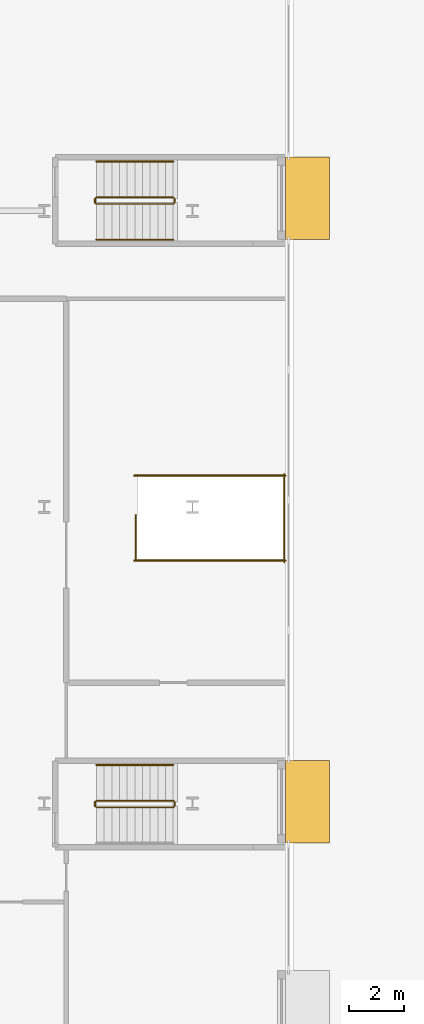
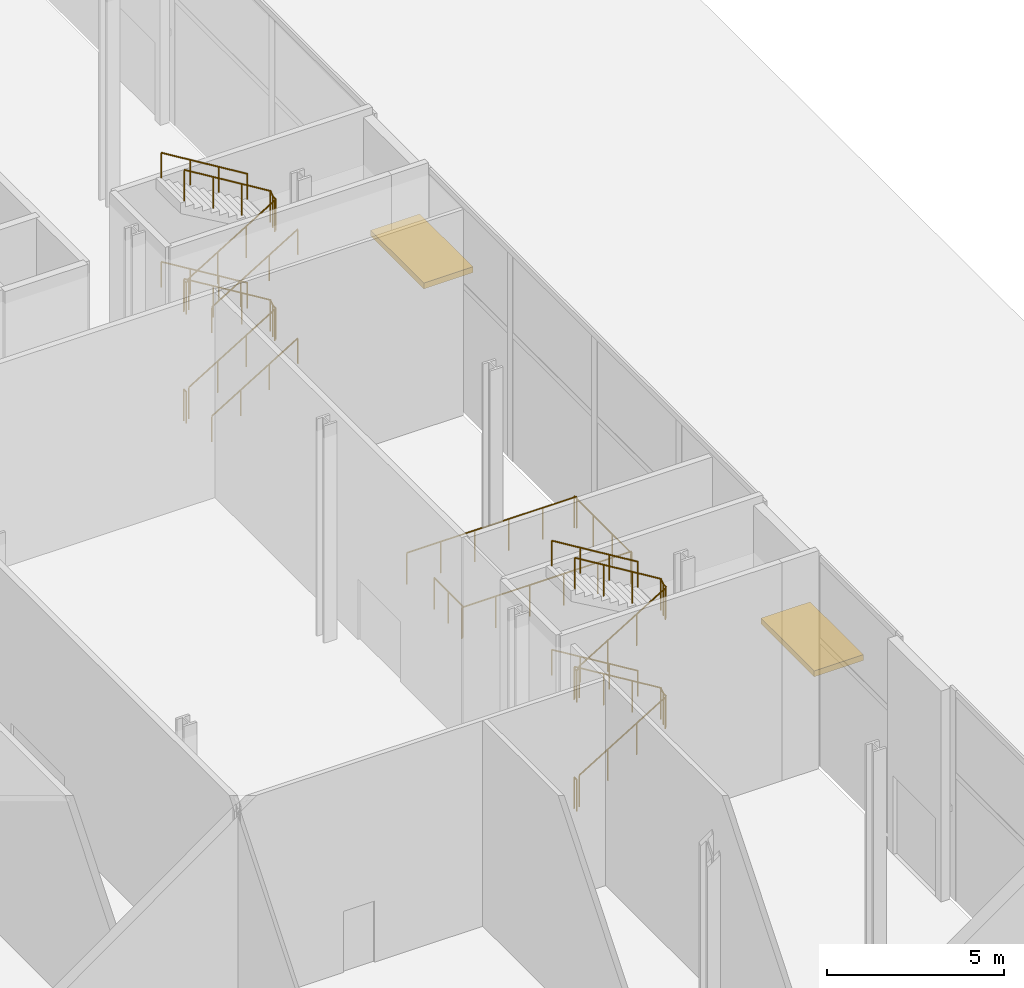
# One storey, part 40 of 46: 14 railings, 2 shading devices.
"""IFC4 building model written with IfcOpenShell, lengths in metres."""

from ifc_helpers import new_model, si_unit, direction, frame, origin, origin_2d, place, context, subcontext, project, spatial, rectangle, circle, extrude, material, layer, layer_set, type_object, element, save


model = new_model("IFC4")

# Units and contexts
model_context = context("Model", 3, precision=1e-05, world=origin(), true_north=direction((0.0, 1.0)))
body_context = subcontext(model_context, "Body", "Model", "MODEL_VIEW")
ifc_project = project(units=[si_unit("LENGTHUNIT", "METRE"), si_unit("AREAUNIT", "SQUARE_METRE"), si_unit("VOLUMEUNIT", "CUBIC_METRE"), si_unit("PLANEANGLEUNIT", "RADIAN"), si_unit("MASSUNIT", "GRAM", prefix="KILO")], contexts=[model_context])

# Site, building, storey
site_placement = place(None, origin())
site = spatial("IfcSite", under=ifc_project, at=site_placement, CompositionType="ELEMENT")
building_placement = place(site_placement, origin())
building = spatial("IfcBuilding", under=site, at=building_placement, Name="Kheshtan School and Residences Tower", CompositionType="ELEMENT")
storey_placement = place(building_placement, origin())
storey = spatial("IfcBuildingStorey", under=building, at=storey_placement, Name="L00", CompositionType="ELEMENT", Elevation=0.0)

# Shading devices
ifc_material_1 = material(Name="Zinc standing seam on insulated deck")
ifc_layer = layer(ifc_material_1, 0.10009765625)
ifc_layer_set = layer_set([ifc_layer], Name="Canopy awning")
shading_device_type = type_object("IfcShadingDeviceType", Name="Canopy awning", PredefinedType="AWNING", material=ifc_layer_set)
for number, where, z_axis, x_axis, name in (
    (1, (132.800048828125, 67.659912109375, 3.0), (0.0, 0.0, 1.0), (0.0, -1.0, 0.0), "Entrance canopy 8.3"),
    (2, (132.800048828125, 45.659912109375, 3.0), (0.0, 0.0, 1.0), (0.0, -1.0, 0.0), "Entrance canopy 8.5"),
):
    element("IfcShadingDevice", number, at=place(storey_placement, frame(where, z_axis=z_axis, x_axis=x_axis)), inside=storey, type_object=shading_device_type, Name=name, PredefinedType="AWNING", context=body_context, shape_type="SweptSolid", body=[
        extrude(rectangle(XDim=3.0, YDim=1.60009765625, at=origin_2d()), origin(), (0.0, 0.0, 1.0), 0.199951171875),
    ])

# Railings
ifc_material_2 = material(Name="Stainless steel balustrade", Category="steel")
railing_type_1 = type_object("IfcRailingType", Name="Stair guard 1100", PredefinedType="GUARDRAIL", material=ifc_material_2)
railing_1_placement = place(storey_placement, frame((125.10009765625, 45.449951171875, 0.17041015625)))
element("IfcRailing", 3, at=railing_1_placement, inside=storey, type_object=railing_type_1, Name="L00 PS-124-044 stair guard 1", PredefinedType="GUARDRAIL", context=body_context, shape_type="SweptSolid", body=[
    extrude(circle(Radius=0.02392578125, at=origin_2d()), frame((0.0, 0.0, 1.076171875), z_axis=(0.854149651119, 0.0, 0.520027281489), x_axis=(0.0, 1.0, 0.0)), (0.0, 0.0, 1.0), 3.27783203125),
    extrude(circle(Radius=0.02392578125, at=origin_2d()), frame((2.7998046875, 0.0, 2.78076171875), z_axis=(0.707106781187, 0.707106781187, 0.0), x_axis=(-0.707106781187, 0.707106781187, 0.0)), (0.0, 0.0, 1.0), 0.07080078125),
    extrude(circle(Radius=0.02392578125, at=origin_2d()), frame((2.849853515625, 0.050048828125, 2.78076171875), z_axis=(0.0, 1.0, 0.0), x_axis=(-1.0, 0.0, 0.0)), (0.0, 0.0, 1.0), 0.14990234375),
    extrude(circle(Radius=0.02392578125, at=origin_2d()), frame((2.849853515625, 0.199951171875, 2.78076171875), z_axis=(-0.271230943075, 0.271230943075, 0.923508284228), x_axis=(-0.707106781187, -0.707106781187, 0.0)), (0.0, 0.0, 1.0), 0.1845703125),
    extrude(circle(Radius=0.02392578125, at=origin_2d()), frame((2.7998046875, 0.25, 2.951171875), z_axis=(-0.854149651119, 0.0, 0.520027281489), x_axis=(0.0, -1.0, 0.0)), (0.0, 0.0, 1.0), 3.27783203125),
    extrude(circle(Radius=0.02392578125, at=origin_2d()), frame((0.0, 0.25, 4.65576171875), z_axis=(-0.707106781187, -0.707106781187, 0.0), x_axis=(0.707106781187, -0.707106781187, 0.0)), (0.0, 0.0, 1.0), 0.07080078125),
    extrude(circle(Radius=0.02392578125, at=origin_2d()), frame((-0.050048828125, 0.199951171875, 4.65576171875), z_axis=(0.0, -1.0, 0.0), x_axis=(1.0, 0.0, 0.0)), (0.0, 0.0, 1.0), 0.14990234375),
    extrude(circle(Radius=0.02392578125, at=origin_2d()), frame((-0.050048828125, 0.050048828125, 4.65576171875), z_axis=(0.271230943075, -0.271230943075, 0.923508284228), x_axis=(0.707106781187, 0.707106781187, 0.0)), (0.0, 0.0, 1.0), 0.1845703125),
    extrude(circle(Radius=0.02392578125, at=origin_2d()), frame((0.0, 0.0, 4.826171875), z_axis=(0.854149651119, 0.0, 0.520027281489), x_axis=(0.0, 1.0, 0.0)), (0.0, 0.0, 1.0), 3.27783203125),
    extrude(circle(Radius=0.02392578125, at=origin_2d()), frame((2.7998046875, 0.0, 6.53076171875), z_axis=(0.707106781187, 0.707106781187, 0.0), x_axis=(-0.707106781187, 0.707106781187, 0.0)), (0.0, 0.0, 1.0), 0.07080078125),
    extrude(circle(Radius=0.02392578125, at=origin_2d()), frame((2.849853515625, 0.050048828125, 6.53076171875), z_axis=(0.0, 1.0, 0.0), x_axis=(-1.0, 0.0, 0.0)), (0.0, 0.0, 1.0), 0.14990234375),
    extrude(circle(Radius=0.02392578125, at=origin_2d()), frame((2.849853515625, 0.199951171875, 6.53076171875), z_axis=(-0.271230943075, 0.271230943075, 0.923508284228), x_axis=(-0.707106781187, -0.707106781187, 0.0)), (0.0, 0.0, 1.0), 0.1845703125),
    extrude(circle(Radius=0.02392578125, at=origin_2d()), frame((2.7998046875, 0.25, 6.701171875), z_axis=(-0.854149651119, 0.0, 0.520027281489), x_axis=(0.0, -1.0, 0.0)), (0.0, 0.0, 1.0), 3.27783203125),
    extrude(circle(Radius=0.02099609375, at=origin_2d()), origin(), (0.0, 0.0, 1.0), 1.052001953125),
    extrude(circle(Radius=0.02099609375, at=origin_2d()), frame((0.933349609375, 0.0, 0.568115234375)), (0.0, 0.0, 1.0), 1.052001953125),
    extrude(circle(Radius=0.02099609375, at=origin_2d()), frame((1.866455078125, 0.0, 1.136474609375)), (0.0, 0.0, 1.0), 1.052001953125),
    extrude(circle(Radius=0.02099609375, at=origin_2d()), frame((2.7998046875, 0.0, 1.70458984375)), (0.0, 0.0, 1.0), 1.052001953125),
    extrude(circle(Radius=0.02099609375, at=origin_2d()), frame((2.849853515625, 0.050048828125, 1.70458984375)), (0.0, 0.0, 1.0), 1.052001953125),
    extrude(circle(Radius=0.02099609375, at=origin_2d()), frame((2.849853515625, 0.199951171875, 1.70458984375)), (0.0, 0.0, 1.0), 1.052001953125),
    extrude(circle(Radius=0.02099609375, at=origin_2d()), frame((2.7998046875, 0.25, 1.875)), (0.0, 0.0, 1.0), 1.052001953125),
    extrude(circle(Radius=0.02099609375, at=origin_2d()), frame((1.866455078125, 0.25, 2.443115234375)), (0.0, 0.0, 1.0), 1.052001953125),
    extrude(circle(Radius=0.02099609375, at=origin_2d()), frame((0.933349609375, 0.25, 3.011474609375)), (0.0, 0.0, 1.0), 1.052001953125),
    extrude(circle(Radius=0.02099609375, at=origin_2d()), frame((0.0, 0.25, 3.57958984375)), (0.0, 0.0, 1.0), 1.052001953125),
    extrude(circle(Radius=0.02099609375, at=origin_2d()), frame((-0.050048828125, 0.199951171875, 3.57958984375)), (0.0, 0.0, 1.0), 1.052001953125),
    extrude(circle(Radius=0.02099609375, at=origin_2d()), frame((-0.050048828125, 0.050048828125, 3.57958984375)), (0.0, 0.0, 1.0), 1.052001953125),
    extrude(circle(Radius=0.02099609375, at=origin_2d()), frame((0.0, 0.0, 3.75)), (0.0, 0.0, 1.0), 1.052001953125),
    extrude(circle(Radius=0.02099609375, at=origin_2d()), frame((0.933349609375, 0.0, 4.318115234375)), (0.0, 0.0, 1.0), 1.052001953125),
    extrude(circle(Radius=0.02099609375, at=origin_2d()), frame((1.866455078125, 0.0, 4.886474609375)), (0.0, 0.0, 1.0), 1.052001953125),
    extrude(circle(Radius=0.02099609375, at=origin_2d()), frame((2.7998046875, 0.0, 5.45458984375)), (0.0, 0.0, 1.0), 1.052001953125),
    extrude(circle(Radius=0.02099609375, at=origin_2d()), frame((2.849853515625, 0.050048828125, 5.45458984375)), (0.0, 0.0, 1.0), 1.052001953125),
    extrude(circle(Radius=0.02099609375, at=origin_2d()), frame((2.849853515625, 0.199951171875, 5.45458984375)), (0.0, 0.0, 1.0), 1.052001953125),
    extrude(circle(Radius=0.02099609375, at=origin_2d()), frame((2.7998046875, 0.25, 5.625)), (0.0, 0.0, 1.0), 1.052001953125),
    extrude(circle(Radius=0.02099609375, at=origin_2d()), frame((1.866455078125, 0.25, 6.193115234375)), (0.0, 0.0, 1.0), 1.052001953125),
    extrude(circle(Radius=0.02099609375, at=origin_2d()), frame((0.933349609375, 0.25, 6.761474609375)), (0.0, 0.0, 1.0), 1.052001953125),
    extrude(circle(Radius=0.02099609375, at=origin_2d()), frame((0.0, 0.25, 7.32958984375)), (0.0, 0.0, 1.0), 1.052001953125),
])
railing_2_placement = place(storey_placement, frame((125.050048828125, 45.5, 0.0)))
element("IfcRailing", 4, at=railing_2_placement, inside=storey, type_object=railing_type_1, Name="L00 PS-124-044 stair guard 2", PredefinedType="GUARDRAIL", context=body_context, shape_type="SweptSolid", body=[
    extrude(circle(Radius=0.02392578125, at=origin_2d()), frame((0.0, 0.0, 1.076171875), z_axis=(0.0, 1.0, 0.0), x_axis=(-1.0, 0.0, 0.0)), (0.0, 0.0, 1.0), 0.14990234375),
    extrude(circle(Radius=0.02099609375, at=origin_2d()), origin(), (0.0, 0.0, 1.0), 1.052001953125),
    extrude(circle(Radius=0.02099609375, at=origin_2d()), frame((0.0, 0.14990234375, 0.0)), (0.0, 0.0, 1.0), 1.052001953125),
])
railing_3_placement = place(storey_placement, frame((125.10009765625, 67.449951171875, 0.17041015625)))
element("IfcRailing", 5, at=railing_3_placement, inside=storey, type_object=railing_type_1, Name="L00 PS-124-066 stair guard 1", PredefinedType="GUARDRAIL", context=body_context, shape_type="SweptSolid", body=[
    extrude(circle(Radius=0.02392578125, at=origin_2d()), frame((0.0, 0.0, 1.076171875), z_axis=(0.854149651119, 0.0, 0.520027281489), x_axis=(0.0, 1.0, 0.0)), (0.0, 0.0, 1.0), 3.27783203125),
    extrude(circle(Radius=0.02392578125, at=origin_2d()), frame((2.7998046875, 0.0, 2.78076171875), z_axis=(0.707106781187, 0.707106781187, 0.0), x_axis=(-0.707106781187, 0.707106781187, 0.0)), (0.0, 0.0, 1.0), 0.07080078125),
    extrude(circle(Radius=0.02392578125, at=origin_2d()), frame((2.849853515625, 0.050048828125, 2.78076171875), z_axis=(0.0, 1.0, 0.0), x_axis=(-1.0, 0.0, 0.0)), (0.0, 0.0, 1.0), 0.14990234375),
    extrude(circle(Radius=0.02392578125, at=origin_2d()), frame((2.849853515625, 0.199951171875, 2.78076171875), z_axis=(-0.271230943075, 0.271230943075, 0.923508284228), x_axis=(-0.707106781187, -0.707106781187, 0.0)), (0.0, 0.0, 1.0), 0.1845703125),
    extrude(circle(Radius=0.02392578125, at=origin_2d()), frame((2.7998046875, 0.25, 2.951171875), z_axis=(-0.854149651119, 0.0, 0.520027281489), x_axis=(0.0, -1.0, 0.0)), (0.0, 0.0, 1.0), 3.27783203125),
    extrude(circle(Radius=0.02392578125, at=origin_2d()), frame((0.0, 0.25, 4.65576171875), z_axis=(-0.707106781187, -0.707106781187, 0.0), x_axis=(0.707106781187, -0.707106781187, 0.0)), (0.0, 0.0, 1.0), 0.07080078125),
    extrude(circle(Radius=0.02392578125, at=origin_2d()), frame((-0.050048828125, 0.199951171875, 4.65576171875), z_axis=(0.0, -1.0, 0.0), x_axis=(1.0, 0.0, 0.0)), (0.0, 0.0, 1.0), 0.14990234375),
    extrude(circle(Radius=0.02392578125, at=origin_2d()), frame((-0.050048828125, 0.050048828125, 4.65576171875), z_axis=(0.271230943075, -0.271230943075, 0.923508284228), x_axis=(0.707106781187, 0.707106781187, 0.0)), (0.0, 0.0, 1.0), 0.1845703125),
    extrude(circle(Radius=0.02392578125, at=origin_2d()), frame((0.0, 0.0, 4.826171875), z_axis=(0.854149651119, 0.0, 0.520027281489), x_axis=(0.0, 1.0, 0.0)), (0.0, 0.0, 1.0), 3.27783203125),
    extrude(circle(Radius=0.02392578125, at=origin_2d()), frame((2.7998046875, 0.0, 6.53076171875), z_axis=(0.707106781187, 0.707106781187, 0.0), x_axis=(-0.707106781187, 0.707106781187, 0.0)), (0.0, 0.0, 1.0), 0.07080078125),
    extrude(circle(Radius=0.02392578125, at=origin_2d()), frame((2.849853515625, 0.050048828125, 6.53076171875), z_axis=(0.0, 1.0, 0.0), x_axis=(-1.0, 0.0, 0.0)), (0.0, 0.0, 1.0), 0.14990234375),
    extrude(circle(Radius=0.02392578125, at=origin_2d()), frame((2.849853515625, 0.199951171875, 6.53076171875), z_axis=(-0.271230943075, 0.271230943075, 0.923508284228), x_axis=(-0.707106781187, -0.707106781187, 0.0)), (0.0, 0.0, 1.0), 0.1845703125),
    extrude(circle(Radius=0.02392578125, at=origin_2d()), frame((2.7998046875, 0.25, 6.701171875), z_axis=(-0.854149651119, 0.0, 0.520027281489), x_axis=(0.0, -1.0, 0.0)), (0.0, 0.0, 1.0), 3.27783203125),
    extrude(circle(Radius=0.02099609375, at=origin_2d()), origin(), (0.0, 0.0, 1.0), 1.052001953125),
    extrude(circle(Radius=0.02099609375, at=origin_2d()), frame((0.933349609375, 0.0, 0.568115234375)), (0.0, 0.0, 1.0), 1.052001953125),
    extrude(circle(Radius=0.02099609375, at=origin_2d()), frame((1.866455078125, 0.0, 1.136474609375)), (0.0, 0.0, 1.0), 1.052001953125),
    extrude(circle(Radius=0.02099609375, at=origin_2d()), frame((2.7998046875, 0.0, 1.70458984375)), (0.0, 0.0, 1.0), 1.052001953125),
    extrude(circle(Radius=0.02099609375, at=origin_2d()), frame((2.849853515625, 0.050048828125, 1.70458984375)), (0.0, 0.0, 1.0), 1.052001953125),
    extrude(circle(Radius=0.02099609375, at=origin_2d()), frame((2.849853515625, 0.199951171875, 1.70458984375)), (0.0, 0.0, 1.0), 1.052001953125),
    extrude(circle(Radius=0.02099609375, at=origin_2d()), frame((2.7998046875, 0.25, 1.875)), (0.0, 0.0, 1.0), 1.052001953125),
    extrude(circle(Radius=0.02099609375, at=origin_2d()), frame((1.866455078125, 0.25, 2.443115234375)), (0.0, 0.0, 1.0), 1.052001953125),
    extrude(circle(Radius=0.02099609375, at=origin_2d()), frame((0.933349609375, 0.25, 3.011474609375)), (0.0, 0.0, 1.0), 1.052001953125),
    extrude(circle(Radius=0.02099609375, at=origin_2d()), frame((0.0, 0.25, 3.57958984375)), (0.0, 0.0, 1.0), 1.052001953125),
    extrude(circle(Radius=0.02099609375, at=origin_2d()), frame((-0.050048828125, 0.199951171875, 3.57958984375)), (0.0, 0.0, 1.0), 1.052001953125),
    extrude(circle(Radius=0.02099609375, at=origin_2d()), frame((-0.050048828125, 0.050048828125, 3.57958984375)), (0.0, 0.0, 1.0), 1.052001953125),
    extrude(circle(Radius=0.02099609375, at=origin_2d()), frame((0.0, 0.0, 3.75)), (0.0, 0.0, 1.0), 1.052001953125),
    extrude(circle(Radius=0.02099609375, at=origin_2d()), frame((0.933349609375, 0.0, 4.318115234375)), (0.0, 0.0, 1.0), 1.052001953125),
    extrude(circle(Radius=0.02099609375, at=origin_2d()), frame((1.866455078125, 0.0, 4.886474609375)), (0.0, 0.0, 1.0), 1.052001953125),
    extrude(circle(Radius=0.02099609375, at=origin_2d()), frame((2.7998046875, 0.0, 5.45458984375)), (0.0, 0.0, 1.0), 1.052001953125),
    extrude(circle(Radius=0.02099609375, at=origin_2d()), frame((2.849853515625, 0.050048828125, 5.45458984375)), (0.0, 0.0, 1.0), 1.052001953125),
    extrude(circle(Radius=0.02099609375, at=origin_2d()), frame((2.849853515625, 0.199951171875, 5.45458984375)), (0.0, 0.0, 1.0), 1.052001953125),
    extrude(circle(Radius=0.02099609375, at=origin_2d()), frame((2.7998046875, 0.25, 5.625)), (0.0, 0.0, 1.0), 1.052001953125),
    extrude(circle(Radius=0.02099609375, at=origin_2d()), frame((1.866455078125, 0.25, 6.193115234375)), (0.0, 0.0, 1.0), 1.052001953125),
    extrude(circle(Radius=0.02099609375, at=origin_2d()), frame((0.933349609375, 0.25, 6.761474609375)), (0.0, 0.0, 1.0), 1.052001953125),
    extrude(circle(Radius=0.02099609375, at=origin_2d()), frame((0.0, 0.25, 7.32958984375)), (0.0, 0.0, 1.0), 1.052001953125),
])
railing_4_placement = place(storey_placement, frame((125.050048828125, 67.5, 0.0)))
element("IfcRailing", 6, at=railing_4_placement, inside=storey, type_object=railing_type_1, Name="L00 PS-124-066 stair guard 2", PredefinedType="GUARDRAIL", context=body_context, shape_type="SweptSolid", body=[
    extrude(circle(Radius=0.02392578125, at=origin_2d()), frame((0.0, 0.0, 1.076171875), z_axis=(0.0, 1.0, 0.0), x_axis=(-1.0, 0.0, 0.0)), (0.0, 0.0, 1.0), 0.14990234375),
    extrude(circle(Radius=0.02099609375, at=origin_2d()), origin(), (0.0, 0.0, 1.0), 1.052001953125),
    extrude(circle(Radius=0.02099609375, at=origin_2d()), frame((0.0, 0.14990234375, 0.0)), (0.0, 0.0, 1.0), 1.052001953125),
])
railing_5_placement = place(storey_placement, frame((126.530029296875, 54.5, 0.0)))
element("IfcRailing", 7, at=railing_5_placement, inside=storey, type_object=railing_type_1, Name="L00 SS-east top well guard 1", PredefinedType="GUARDRAIL", context=body_context, shape_type="SweptSolid", body=[
    extrude(circle(Radius=0.02392578125, at=origin_2d()), frame((0.0, 0.0, 1.076171875), z_axis=(0.0, 1.0, 0.0), x_axis=(-1.0, 0.0, 0.0)), (0.0, 0.0, 1.0), 1.60009765625),
    extrude(circle(Radius=0.02099609375, at=origin_2d()), origin(), (0.0, 0.0, 1.0), 1.052001953125),
    extrude(circle(Radius=0.02099609375, at=origin_2d()), frame((0.0, 0.800048828125, 0.0)), (0.0, 0.0, 1.0), 1.052001953125),
    extrude(circle(Radius=0.02099609375, at=origin_2d()), frame((0.0, 1.60009765625, 0.0)), (0.0, 0.0, 1.0), 1.052001953125),
])
for number, where, name in (
    (8, (126.47998046875, 54.449951171875, 0.0), "L00 SS-east top well guard 2"),
    (9, (126.47998046875, 57.550048828125, 0.0), "L00 SS-east top well guard 3"),
):
    element("IfcRailing", number, at=place(storey_placement, frame(where)), inside=storey, type_object=railing_type_1, Name=name, PredefinedType="GUARDRAIL", context=body_context, shape_type="SweptSolid", body=[
        extrude(circle(Radius=0.02392578125, at=origin_2d()), frame((0.0, 0.0, 1.076171875), z_axis=(1.0, 0.0, 0.0), x_axis=(0.0, 1.0, 0.0)), (0.0, 0.0, 1.0), 5.52001953125),
        extrude(circle(Radius=0.02099609375, at=origin_2d()), origin(), (0.0, 0.0, 1.0), 1.052001953125),
        extrude(circle(Radius=0.02099609375, at=origin_2d()), frame((1.10400390625, 0.0, 0.0)), (0.0, 0.0, 1.0), 1.052001953125),
        extrude(circle(Radius=0.02099609375, at=origin_2d()), frame((2.2080078125, 0.0, 0.0)), (0.0, 0.0, 1.0), 1.052001953125),
        extrude(circle(Radius=0.02099609375, at=origin_2d()), frame((3.31201171875, 0.0, 0.0)), (0.0, 0.0, 1.0), 1.052001953125),
        extrude(circle(Radius=0.02099609375, at=origin_2d()), frame((4.416015625, 0.0, 0.0)), (0.0, 0.0, 1.0), 1.052001953125),
        extrude(circle(Radius=0.02099609375, at=origin_2d()), frame((5.52001953125, 0.0, 0.0)), (0.0, 0.0, 1.0), 1.052001953125),
    ])
railing_6_placement = place(storey_placement, frame((131.949951171875, 54.39990234375, 0.0)))
element("IfcRailing", 10, at=railing_6_placement, inside=storey, type_object=railing_type_1, Name="L00 SS-east top well guard 4", PredefinedType="GUARDRAIL", context=body_context, shape_type="SweptSolid", body=[
    extrude(circle(Radius=0.02392578125, at=origin_2d()), frame((0.0, 0.0, 1.076171875), z_axis=(0.0, 1.0, 0.0), x_axis=(-1.0, 0.0, 0.0)), (0.0, 0.0, 1.0), 3.2001953125),
    extrude(circle(Radius=0.02099609375, at=origin_2d()), origin(), (0.0, 0.0, 1.0), 1.052001953125),
    extrude(circle(Radius=0.02099609375, at=origin_2d()), frame((0.0, 1.066650390625, 0.0)), (0.0, 0.0, 1.0), 1.052001953125),
    extrude(circle(Radius=0.02099609375, at=origin_2d()), frame((0.0, 2.133544921875, 0.0)), (0.0, 0.0, 1.0), 1.052001953125),
    extrude(circle(Radius=0.02099609375, at=origin_2d()), frame((0.0, 3.2001953125, 0.0)), (0.0, 0.0, 1.0), 1.052001953125),
])
ifc_material_3 = material(Name="Stainless steel handrail", Category="steel")
railing_type_2 = type_object("IfcRailingType", Name="Stair handrail 900", PredefinedType="HANDRAIL", material=ifc_material_3)
for number, where, name in (
    (11, (127.89990234375, 47.0, 2.04541015625), "L00 PS-124-044 stair handrail 2"),
    (12, (127.89990234375, 47.0, 5.79541015625), "L00 PS-124-044 stair handrail 4"),
):
    element("IfcRailing", number, at=place(storey_placement, frame(where)), inside=storey, type_object=railing_type_2, Name=name, PredefinedType="HANDRAIL", context=body_context, shape_type="SweptSolid", body=[
        extrude(circle(Radius=0.02392578125, at=origin_2d()), frame((0.0, 0.0, 0.8759765625), z_axis=(-0.854149651119, 0.0, 0.520027281489), x_axis=(0.0, -1.0, 0.0)), (0.0, 0.0, 1.0), 3.27783203125),
        extrude(circle(Radius=0.02099609375, at=origin_2d()), origin(), (0.0, 0.0, 1.0), 0.851806640625),
        extrude(circle(Radius=0.02099609375, at=origin_2d()), frame((-0.933349609375, 0.0, 0.568115234375)), (0.0, 0.0, 1.0), 0.851806640625),
        extrude(circle(Radius=0.02099609375, at=origin_2d()), frame((-1.866455078125, 0.0, 1.136474609375)), (0.0, 0.0, 1.0), 0.851806640625),
        extrude(circle(Radius=0.02099609375, at=origin_2d()), frame((-2.7998046875, 0.0, 1.70458984375)), (0.0, 0.0, 1.0), 0.851806640625),
    ])
railing_7_placement = place(storey_placement, frame((125.10009765625, 66.14990234375, 0.17041015625)))
element("IfcRailing", 13, at=railing_7_placement, inside=storey, type_object=railing_type_2, Name="L00 PS-124-066 stair handrail 1", PredefinedType="HANDRAIL", context=body_context, shape_type="SweptSolid", body=[
    extrude(circle(Radius=0.02392578125, at=origin_2d()), frame((0.0, 0.0, 0.8759765625), z_axis=(0.854149651119, 0.0, 0.520027281489), x_axis=(0.0, 1.0, 0.0)), (0.0, 0.0, 1.0), 3.27783203125),
    extrude(circle(Radius=0.02099609375, at=origin_2d()), origin(), (0.0, 0.0, 1.0), 0.851806640625),
    extrude(circle(Radius=0.02099609375, at=origin_2d()), frame((0.933349609375, 0.0, 0.568115234375)), (0.0, 0.0, 1.0), 0.851806640625),
    extrude(circle(Radius=0.02099609375, at=origin_2d()), frame((1.866455078125, 0.0, 1.136474609375)), (0.0, 0.0, 1.0), 0.851806640625),
    extrude(circle(Radius=0.02099609375, at=origin_2d()), frame((2.7998046875, 0.0, 1.70458984375)), (0.0, 0.0, 1.0), 0.851806640625),
])
railing_8_placement = place(storey_placement, frame((127.89990234375, 69.0, 2.04541015625)))
element("IfcRailing", 14, at=railing_8_placement, inside=storey, type_object=railing_type_2, Name="L00 PS-124-066 stair handrail 2", PredefinedType="HANDRAIL", context=body_context, shape_type="SweptSolid", body=[
    extrude(circle(Radius=0.02392578125, at=origin_2d()), frame((0.0, 0.0, 0.8759765625), z_axis=(-0.854149651119, 0.0, 0.520027281489), x_axis=(0.0, -1.0, 0.0)), (0.0, 0.0, 1.0), 3.27783203125),
    extrude(circle(Radius=0.02099609375, at=origin_2d()), origin(), (0.0, 0.0, 1.0), 0.851806640625),
    extrude(circle(Radius=0.02099609375, at=origin_2d()), frame((-0.933349609375, 0.0, 0.568115234375)), (0.0, 0.0, 1.0), 0.851806640625),
    extrude(circle(Radius=0.02099609375, at=origin_2d()), frame((-1.866455078125, 0.0, 1.136474609375)), (0.0, 0.0, 1.0), 0.851806640625),
    extrude(circle(Radius=0.02099609375, at=origin_2d()), frame((-2.7998046875, 0.0, 1.70458984375)), (0.0, 0.0, 1.0), 0.851806640625),
])
railing_9_placement = place(storey_placement, frame((125.10009765625, 66.14990234375, 3.92041015625)))
element("IfcRailing", 15, at=railing_9_placement, inside=storey, type_object=railing_type_2, Name="L00 PS-124-066 stair handrail 3", PredefinedType="HANDRAIL", context=body_context, shape_type="SweptSolid", body=[
    extrude(circle(Radius=0.02392578125, at=origin_2d()), frame((0.0, 0.0, 0.8759765625), z_axis=(0.854149651119, 0.0, 0.520027281489), x_axis=(0.0, 1.0, 0.0)), (0.0, 0.0, 1.0), 3.27783203125),
    extrude(circle(Radius=0.02099609375, at=origin_2d()), origin(), (0.0, 0.0, 1.0), 0.851806640625),
    extrude(circle(Radius=0.02099609375, at=origin_2d()), frame((0.933349609375, 0.0, 0.568115234375)), (0.0, 0.0, 1.0), 0.851806640625),
    extrude(circle(Radius=0.02099609375, at=origin_2d()), frame((1.866455078125, 0.0, 1.136474609375)), (0.0, 0.0, 1.0), 0.851806640625),
    extrude(circle(Radius=0.02099609375, at=origin_2d()), frame((2.7998046875, 0.0, 1.70458984375)), (0.0, 0.0, 1.0), 0.851806640625),
])
railing_10_placement = place(storey_placement, frame((127.89990234375, 69.0, 5.79541015625)))
element("IfcRailing", 16, at=railing_10_placement, inside=storey, type_object=railing_type_2, Name="L00 PS-124-066 stair handrail 4", PredefinedType="HANDRAIL", context=body_context, shape_type="SweptSolid", body=[
    extrude(circle(Radius=0.02392578125, at=origin_2d()), frame((0.0, 0.0, 0.8759765625), z_axis=(-0.854149651119, 0.0, 0.520027281489), x_axis=(0.0, -1.0, 0.0)), (0.0, 0.0, 1.0), 3.27783203125),
    extrude(circle(Radius=0.02099609375, at=origin_2d()), origin(), (0.0, 0.0, 1.0), 0.851806640625),
    extrude(circle(Radius=0.02099609375, at=origin_2d()), frame((-0.933349609375, 0.0, 0.568115234375)), (0.0, 0.0, 1.0), 0.851806640625),
    extrude(circle(Radius=0.02099609375, at=origin_2d()), frame((-1.866455078125, 0.0, 1.136474609375)), (0.0, 0.0, 1.0), 0.851806640625),
    extrude(circle(Radius=0.02099609375, at=origin_2d()), frame((-2.7998046875, 0.0, 1.70458984375)), (0.0, 0.0, 1.0), 0.851806640625),
])

save(model, "model.ifc")
